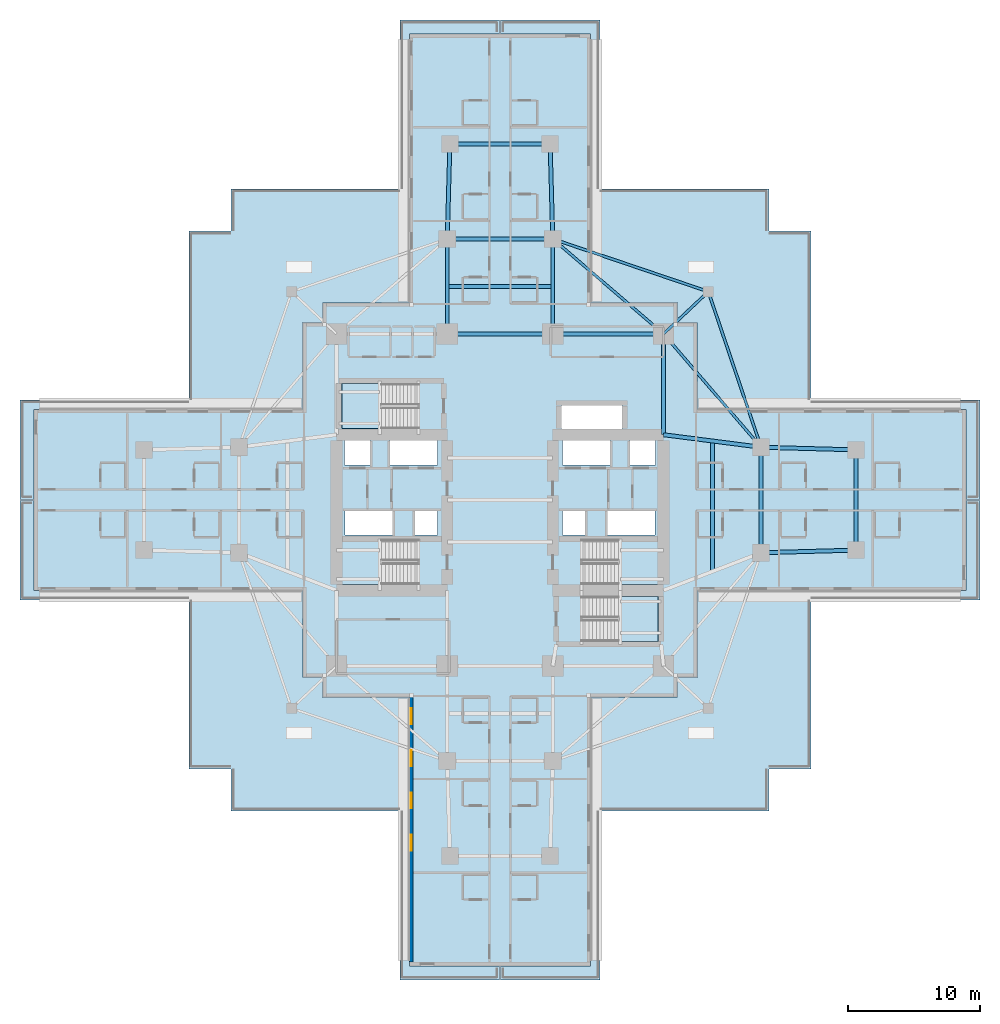
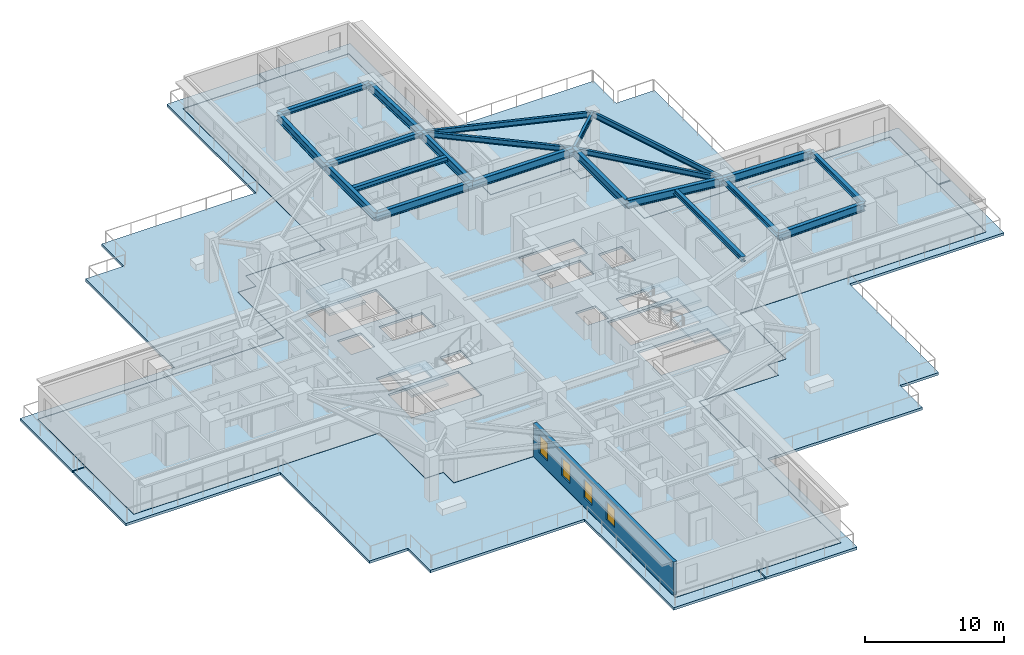
# One storey, part 2 of 15: 21 beams, 9 slabs, 4 windows, 1 wall, 4 openings, 4 elements without a shape of their own.
"""IFC4 building model written with IfcOpenShell, lengths in metres."""

from ifc_helpers import new_model, si_unit, direction, frame, frame_2d, origin, origin_2d, place, context, subcontext, project, spatial, polyline, rectangle, i_section, outline, extrude, material, layer, layer_set, material_profile, profile_set, type_object, element, fill, aggregate, save


model = new_model("IFC4")

# Units and contexts
model_context = context("Model", 3, precision=1e-05, world=origin(), true_north=direction((0.0, 1.0)))
body_context = subcontext(model_context, "Body", "Model", "MODEL_VIEW")
ifc_project = project(units=[si_unit("LENGTHUNIT", "METRE"), si_unit("AREAUNIT", "SQUARE_METRE"), si_unit("VOLUMEUNIT", "CUBIC_METRE"), si_unit("PLANEANGLEUNIT", "RADIAN"), si_unit("MASSUNIT", "GRAM", prefix="KILO")], contexts=[model_context])

# Site, building, storey
site_placement = place(None, origin())
site = spatial("IfcSite", under=ifc_project, at=site_placement, CompositionType="ELEMENT")
building_placement = place(site_placement, origin())
building = spatial("IfcBuilding", under=site, at=building_placement, Name="Qingluan Cross Belvedere", CompositionType="ELEMENT")
storey_placement = place(building_placement, frame((0.0, 0.0, 23.699951171875)))
storey = spatial("IfcBuildingStorey", under=building, at=storey_placement, Name="L06", CompositionType="ELEMENT", Elevation=23.699951171875)

# Beams
ifc_material_1 = material(Name="Steel Q420GJB", Category="steel")
ifc_material_profile_1 = material_profile(ifc_material_1, i_section(OverallWidth=0.300048828125, OverallDepth=0.43994140625, WebThickness=0.010986328125, FlangeThickness=0.01806640625, FilletRadius=0.02001953125, at=origin_2d()), Name="HM440x300x11x18")
ifc_profile_set_1 = profile_set([ifc_material_profile_1], Name="Steel Q420GJB")
beam_type_1 = type_object("IfcBeamType", Name="Steel_Beam_HM440x300x11x18", PredefinedType="BEAM", material=ifc_profile_set_1)
beam_1_placement = place(storey_placement, frame((19.800048828125, -4.0, 3.47998046875), z_axis=(0.0, 1.0, 0.0), x_axis=(-1.0, 0.0, 0.0)))
element("IfcBeam", 1, at=beam_1_placement, inside=storey, type_object=beam_type_1, Name="Arm E tie L06", PredefinedType="BEAM", context=body_context, shape_type="SweptSolid", body=[
    extrude(i_section(OverallWidth=0.300048828125, OverallDepth=0.43994140625, WebThickness=0.010986328125, FlangeThickness=0.01806640625, FilletRadius=0.02001953125, at=origin_2d()), origin(), (0.0, 0.0, 1.0), 8.0),
])
beam_2_placement = place(storey_placement, frame((16.10009765625, -5.425048828125, 3.47998046875), z_axis=(0.0, 1.0, 0.0), x_axis=(-1.0, 0.0, 0.0)))
element("IfcBeam", 2, at=beam_2_placement, inside=storey, type_object=beam_type_1, Name="Arm E beam L06", PredefinedType="BEAM", context=body_context, shape_type="SweptSolid", body=[
    extrude(i_section(OverallWidth=0.300048828125, OverallDepth=0.43994140625, WebThickness=0.010986328125, FlangeThickness=0.01806640625, FilletRadius=0.02001953125, at=origin_2d()), origin(), (0.0, 0.0, 1.0), 9.900146484375),
])
beam_3_placement = place(storey_placement, frame((27.0, -3.800048828125, 3.47998046875), z_axis=(0.0, 1.0, 0.0), x_axis=(-1.0, 0.0, 0.0)))
element("IfcBeam", 3, at=beam_3_placement, inside=storey, type_object=beam_type_1, Name="Arm E tip transverse beam L06", PredefinedType="BEAM", context=body_context, shape_type="SweptSolid", body=[
    extrude(i_section(OverallWidth=0.300048828125, OverallDepth=0.43994140625, WebThickness=0.010986328125, FlangeThickness=0.01806640625, FilletRadius=0.02001953125, at=origin_2d()), origin(), (0.0, 0.0, 1.0), 7.60009765625),
])
for number, where, z_axis, x_axis, name in (
    (4, (-4.0, 19.800048828125, 3.47998046875), (1.0, 0.0, 0.0), (0.0, 1.0, 0.0), "Arm N tie L06"),
    (5, (-4.0, 16.199951171875, 3.47998046875), (1.0, 0.0, 0.0), (0.0, 1.0, 0.0), "Arm N beam L06"),
):
    element("IfcBeam", number, at=place(storey_placement, frame(where, z_axis=z_axis, x_axis=x_axis)), inside=storey, type_object=beam_type_1, Name=name, PredefinedType="BEAM", context=body_context, shape_type="SweptSolid", body=[
        extrude(i_section(OverallWidth=0.300048828125, OverallDepth=0.43994140625, WebThickness=0.010986328125, FlangeThickness=0.01806640625, FilletRadius=0.02001953125, at=origin_2d()), origin(), (0.0, 0.0, 1.0), 8.0),
    ])
beam_4_placement = place(storey_placement, frame((-3.800048828125, 27.0, 3.47998046875), z_axis=(1.0, 0.0, 0.0), x_axis=(0.0, 1.0, 0.0)))
element("IfcBeam", 6, at=beam_4_placement, inside=storey, type_object=beam_type_1, Name="Arm N tip transverse beam L06", PredefinedType="BEAM", context=body_context, shape_type="SweptSolid", body=[
    extrude(i_section(OverallWidth=0.300048828125, OverallDepth=0.43994140625, WebThickness=0.010986328125, FlangeThickness=0.01806640625, FilletRadius=0.02001953125, at=origin_2d()), origin(), (0.0, 0.0, 1.0), 7.60009765625),
])
ifc_material_2 = material(Name="Steel Q420GJB", Category="steel")
ifc_material_profile_2 = material_profile(ifc_material_2, i_section(OverallWidth=0.199951171875, OverallDepth=0.449951171875, WebThickness=0.009033203125, FlangeThickness=0.013916015625, FilletRadius=0.01611328125, at=origin_2d()), Name="HN450x200x9x14")
ifc_profile_set_2 = profile_set([ifc_material_profile_2], Name="Steel Q420GJB")
beam_type_2 = type_object("IfcBeamType", Name="Steel_Beam_HN450x200x9x14", PredefinedType="JOIST", material=ifc_profile_set_2)
beam_5_placement = place(storey_placement, frame((12.39990234375, 12.60009765625, 3.455078125), z_axis=(0.728219948308, 0.685343495546, 0.0), x_axis=(-0.685343495546, 0.728219948308, 0.0)))
element("IfcBeam", 7, at=beam_5_placement, inside=storey, type_object=beam_type_2, Name="Corner beam 1 L06-RNE", PredefinedType="JOIST", context=body_context, shape_type="SweptSolid", body=[
    extrude(i_section(OverallWidth=0.199951171875, OverallDepth=0.449951171875, WebThickness=0.009033203125, FlangeThickness=0.013916015625, FilletRadius=0.01611328125, at=origin_2d()), origin(), (0.0, 0.0, 1.0), 4.669189453125),
])
for number, where, z_axis, x_axis, name in (
    (8, (15.800048828125, 15.800048828125, 3.455078125), (-0.947066283324, 0.321038089628, 0.0), (-0.321038089628, -0.947066283324, 0.0), "Corner beam 2 L06-RNE"),
    (9, (15.800048828125, 15.800048828125, 3.455078125), (0.321038089628, -0.947066283324, 0.0), (0.947066283324, 0.321038089628, 0.0), "Corner beam 3 L06-RNE"),
):
    element("IfcBeam", number, at=place(storey_placement, frame(where, z_axis=z_axis, x_axis=x_axis)), inside=storey, type_object=beam_type_2, Name=name, PredefinedType="JOIST", context=body_context, shape_type="SweptSolid", body=[
        extrude(i_section(OverallWidth=0.199951171875, OverallDepth=0.449951171875, WebThickness=0.009033203125, FlangeThickness=0.013916015625, FilletRadius=0.01611328125, at=origin_2d()), origin(), (0.0, 0.0, 1.0), 12.45947265625),
    ])
beam_6_placement = place(storey_placement, frame((12.39990234375, 12.60009765625, 3.455078125), z_axis=(0.652245077546, -0.75800815221, 0.0), x_axis=(0.75800815221, 0.652245077546, 0.0)))
element("IfcBeam", 10, at=beam_6_placement, inside=storey, type_object=beam_type_2, Name="Corner beam 4 L06-RNE", PredefinedType="JOIST", context=body_context, shape_type="SweptSolid", body=[
    extrude(i_section(OverallWidth=0.199951171875, OverallDepth=0.449951171875, WebThickness=0.009033203125, FlangeThickness=0.013916015625, FilletRadius=0.01611328125, at=origin_2d()), origin(), (0.0, 0.0, 1.0), 11.345703125),
])
beam_7_placement = place(storey_placement, frame((12.39990234375, 12.60009765625, 3.455078125), z_axis=(-0.759255044656, 0.650793190779, 0.0), x_axis=(-0.650793190779, -0.759255044656, 0.0)))
element("IfcBeam", 11, at=beam_7_placement, inside=storey, type_object=beam_type_2, Name="Corner beam 5 L06-RNE", PredefinedType="JOIST", context=body_context, shape_type="SweptSolid", body=[
    extrude(i_section(OverallWidth=0.199951171875, OverallDepth=0.449951171875, WebThickness=0.009033203125, FlangeThickness=0.013916015625, FilletRadius=0.01611328125, at=origin_2d()), origin(), (0.0, 0.0, 1.0), 11.063232421875),
])
ifc_material_3 = material(Name="Steel Q420GJB", Category="steel")
ifc_material_profile_3 = material_profile(ifc_material_3, i_section(OverallWidth=0.300048828125, OverallDepth=0.699951171875, WebThickness=0.014892578125, FlangeThickness=0.027099609375, FilletRadius=0.027099609375, at=origin_2d()), Name="HEB700")
ifc_profile_set_3 = profile_set([ifc_material_profile_3], Name="Steel Q420GJB")
beam_type_3 = type_object("IfcBeamType", Name="Steel_Girder_HEB700", PredefinedType="USERDEFINED", material=ifc_profile_set_3)
beam_8_placement = place(storey_placement, frame((-4.0, 12.60009765625, 3.35009765625), z_axis=(1.0, 0.0, 0.0), x_axis=(0.0, 1.0, 0.0)))
element("IfcBeam", 12, at=beam_8_placement, inside=storey, type_object=beam_type_3, Name="Hub girder L06-HG-N2", ObjectType="GIRDER", PredefinedType="USERDEFINED", context=body_context, shape_type="SweptSolid", body=[
    extrude(i_section(OverallWidth=0.300048828125, OverallDepth=0.699951171875, WebThickness=0.014892578125, FlangeThickness=0.027099609375, FilletRadius=0.027099609375, at=origin_2d()), origin(), (0.0, 0.0, 1.0), 8.0),
])
beam_9_placement = place(storey_placement, frame((4.0, 12.60009765625, 3.35009765625), z_axis=(1.0, 0.0, 0.0), x_axis=(0.0, 1.0, 0.0)))
element("IfcBeam", 13, at=beam_9_placement, inside=storey, type_object=beam_type_3, Name="Hub girder L06-HG-N3", ObjectType="GIRDER", PredefinedType="USERDEFINED", context=body_context, shape_type="SweptSolid", body=[
    extrude(i_section(OverallWidth=0.300048828125, OverallDepth=0.699951171875, WebThickness=0.014892578125, FlangeThickness=0.027099609375, FilletRadius=0.027099609375, at=origin_2d()), origin(), (0.0, 0.0, 1.0), 8.39990234375),
])
beam_10_placement = place(storey_placement, frame((12.39990234375, 4.949951171875, 3.35009765625), z_axis=(0.0, 1.0, 0.0), x_axis=(-1.0, 0.0, 0.0)))
element("IfcBeam", 14, at=beam_10_placement, inside=storey, type_object=beam_type_3, Name="Hub girder L06-HG-E2", ObjectType="GIRDER", PredefinedType="USERDEFINED", context=body_context, shape_type="SweptSolid", body=[
    extrude(i_section(OverallWidth=0.300048828125, OverallDepth=0.699951171875, WebThickness=0.014892578125, FlangeThickness=0.027099609375, FilletRadius=0.027099609375, at=origin_2d()), origin(), (0.0, 0.0, 1.0), 7.650146484375),
])
beam_11_placement = place(storey_placement, frame((12.39990234375, 4.949951171875, 3.35009765625), z_axis=(0.991861120628, -0.12732445714, 0.0), x_axis=(0.12732445714, 0.991861120628, 0.0)))
element("IfcBeam", 15, at=beam_11_placement, inside=storey, type_object=beam_type_3, Name="Arm E radial girder B L06", ObjectType="GIRDER", PredefinedType="USERDEFINED", context=body_context, shape_type="SweptSolid", body=[
    extrude(i_section(OverallWidth=0.300048828125, OverallDepth=0.699951171875, WebThickness=0.014892578125, FlangeThickness=0.027099609375, FilletRadius=0.027099609375, at=origin_2d()), origin(), (0.0, 0.0, 1.0), 7.4609375),
])
for number, where, z_axis, x_axis, name in (
    (16, (19.800048828125, -4.0, 3.35009765625), (0.999614603568, 0.027760481514, 0.0), (-0.027760481514, 0.999614603568, 0.0), "Arm E outer radial girder A L06"),
    (17, (19.800048828125, 4.0, 3.35009765625), (0.999614603568, -0.027760481514, 0.0), (0.027760481514, 0.999614603568, 0.0), "Arm E outer radial girder B L06"),
):
    element("IfcBeam", number, at=place(storey_placement, frame(where, z_axis=z_axis, x_axis=x_axis)), inside=storey, type_object=beam_type_3, Name=name, ObjectType="GIRDER", PredefinedType="USERDEFINED", context=body_context, shape_type="SweptSolid", body=[
        extrude(i_section(OverallWidth=0.300048828125, OverallDepth=0.699951171875, WebThickness=0.014892578125, FlangeThickness=0.027099609375, FilletRadius=0.027099609375, at=origin_2d()), origin(), (0.0, 0.0, 1.0), 7.20263671875),
    ])
for number, where, z_axis, x_axis, name in (
    (18, (-4.0, 12.60009765625, 3.35009765625), (0.0, 1.0, 0.0), (-1.0, 0.0, 0.0), "Arm N radial girder A L06"),
    (19, (4.0, 12.60009765625, 3.35009765625), (0.0, 1.0, 0.0), (-1.0, 0.0, 0.0), "Arm N radial girder B L06"),
):
    element("IfcBeam", number, at=place(storey_placement, frame(where, z_axis=z_axis, x_axis=x_axis)), inside=storey, type_object=beam_type_3, Name=name, ObjectType="GIRDER", PredefinedType="USERDEFINED", context=body_context, shape_type="SweptSolid", body=[
        extrude(i_section(OverallWidth=0.300048828125, OverallDepth=0.699951171875, WebThickness=0.014892578125, FlangeThickness=0.027099609375, FilletRadius=0.027099609375, at=origin_2d()), origin(), (0.0, 0.0, 1.0), 7.199951171875),
    ])
for number, where, z_axis, x_axis, name in (
    (20, (-4.0, 19.800048828125, 3.35009765625), (0.027760481514, 0.999614603568, 0.0), (-0.999614603568, 0.027760481514, 0.0), "Arm N outer radial girder A L06"),
    (21, (4.0, 19.800048828125, 3.35009765625), (-0.027760481514, 0.999614603568, 0.0), (-0.999614603568, -0.027760481514, 0.0), "Arm N outer radial girder B L06"),
):
    element("IfcBeam", number, at=place(storey_placement, frame(where, z_axis=z_axis, x_axis=x_axis)), inside=storey, type_object=beam_type_3, Name=name, ObjectType="GIRDER", PredefinedType="USERDEFINED", context=body_context, shape_type="SweptSolid", body=[
        extrude(i_section(OverallWidth=0.300048828125, OverallDepth=0.699951171875, WebThickness=0.014892578125, FlangeThickness=0.027099609375, FilletRadius=0.027099609375, at=origin_2d()), origin(), (0.0, 0.0, 1.0), 7.20263671875),
    ])

# Slab
ifc_material_4 = material(Name="Concrete C40", Category="concrete")
ifc_layer_1 = layer(ifc_material_4, 0.199951171875, Name="FloorSlab_200")
ifc_layer_set_1 = layer_set([ifc_layer_1], Name="Concrete C40")
slab_type_1 = type_object("IfcSlabType", Name="FloorSlab_200", PredefinedType="FLOOR", material=ifc_layer_set_1)
slab_1_placement = place(storey_placement, frame((0.0, 0.0, -0.199951171875)))
element("IfcSlab", 22, at=slab_1_placement, inside=storey, type_object=slab_type_1, Name="Structural floor slab L06", PredefinedType="FLOOR", context=body_context, shape_type="SweptSolid", body=[
    extrude(outline(polyline([(6.860107421875, -35.320068359375), (6.860107421875, -14.93994140625), (13.43994140625, -14.93994140625), (13.43994140625, -13.43994140625), (14.93994140625, -13.43994140625), (14.93994140625, -6.860107421875), (35.320068359375, -6.860107421875), (35.320068359375, 6.860107421875), (14.93994140625, 6.860107421875), (14.93994140625, 13.43994140625), (13.43994140625, 13.43994140625), (13.43994140625, 14.93994140625), (6.860107421875, 14.93994140625), (6.860107421875, 35.320068359375), (-6.860107421875, 35.320068359375), (-6.860107421875, 14.93994140625), (-13.43994140625, 14.93994140625), (-13.43994140625, 13.43994140625), (-14.93994140625, 13.43994140625), (-14.93994140625, 6.860107421875), (-35.320068359375, 6.860107421875), (-35.320068359375, -6.860107421875), (-14.93994140625, -6.860107421875), (-14.93994140625, -13.43994140625), (-13.43994140625, -13.43994140625), (-13.43994140625, -14.93994140625), (-6.860107421875, -14.93994140625), (-6.860107421875, -35.320068359375), (6.860107421875, -35.320068359375)]), holes=[polyline([(-12.0, -3.0), (-6.179931640625, -3.0), (-6.179931640625, -6.39990234375), (-12.0, -6.39990234375), (-12.0, -3.0)]), polyline([(6.179931640625, -3.0), (12.0, -3.0), (12.0, -6.39990234375), (6.179931640625, -6.39990234375), (6.179931640625, -3.0)]), polyline([(-12.0, 8.820068359375), (-6.179931640625, 8.820068359375), (-6.179931640625, 5.419921875), (-12.0, 5.419921875), (-12.0, 8.820068359375)]), polyline([(6.179931640625, -7.320068359375), (12.0, -7.320068359375), (12.0, -10.719970703125), (6.179931640625, -10.719970703125), (6.179931640625, -7.320068359375)]), polyline([(-11.800048828125, 4.64990234375), (-9.85009765625, 4.64990234375), (-9.85009765625, 2.64990234375), (-11.800048828125, 2.64990234375), (-11.800048828125, 4.64990234375)]), polyline([(-8.35009765625, 4.64990234375), (-4.75, 4.64990234375), (-4.75, 2.64990234375), (-8.35009765625, 2.64990234375), (-8.35009765625, 4.64990234375)]), polyline([(4.75, 4.64990234375), (8.35009765625, 4.64990234375), (8.35009765625, 2.64990234375), (4.75, 2.64990234375), (4.75, 4.64990234375)]), polyline([(9.85009765625, 4.64990234375), (11.800048828125, 4.64990234375), (11.800048828125, 2.64990234375), (9.85009765625, 2.64990234375), (9.85009765625, 4.64990234375)]), polyline([(-11.75, -0.840087890625), (-8.14990234375, -0.840087890625), (-8.14990234375, -2.659912109375), (-11.75, -2.659912109375), (-11.75, -0.840087890625)]), polyline([(-6.449951171875, -0.840087890625), (-4.75, -0.840087890625), (-4.75, -2.659912109375), (-6.449951171875, -2.659912109375), (-6.449951171875, -0.840087890625)]), polyline([(4.75, -0.840087890625), (6.449951171875, -0.840087890625), (6.449951171875, -2.659912109375), (4.75, -2.659912109375), (4.75, -0.840087890625)]), polyline([(8.14990234375, -0.840087890625), (11.75, -0.840087890625), (11.75, -2.659912109375), (8.14990234375, -2.659912109375), (8.14990234375, -0.840087890625)]), polyline([(4.64990234375, 7.14990234375), (9.25, 7.14990234375), (9.25, 5.14990234375), (4.64990234375, 5.14990234375), (4.64990234375, 7.14990234375)])]), origin(), (0.0, 0.0, 1.0), 0.199951171875),
])

# Stair, slab
ifc_material_5 = material(Name="Concrete C40", Category="concrete")
stair_type = type_object("IfcStairType", Name="CoreDoglegStair_1620", PredefinedType="HALF_TURN_STAIR", material=ifc_material_5)
stair_1_placement = place(storey_placement, origin())
stair_1 = element("IfcStair", 23, at=stair_1_placement, inside=storey, type_object=stair_type, Name="L06 ST1", PredefinedType="HALF_TURN_STAIR")
ifc_material_6 = material(Name="Concrete C40", Category="concrete")
ifc_layer_2 = layer(ifc_material_6, 0.179931640625, Name="StairLandingSlab_180")
ifc_layer_set_2 = layer_set([ifc_layer_2], Name="Concrete C40")
slab_type_2 = type_object("IfcSlabType", Name="StairLandingSlab_180", PredefinedType="LANDING", material=ifc_layer_set_2)
slab_2_placement = place(storey_placement, frame((0.0, 0.0, 1.75)))
slab_2 = element("IfcSlab", 24, at=slab_2_placement, type_object=slab_type_2, Name="ST1 landing 1", PredefinedType="LANDING", context=body_context, shape_type="SweptSolid", body=[
    extrude(outline(polyline([(-8.97998046875, -3.0), (-12.0, -3.0), (-12.0, -6.39990234375), (-8.97998046875, -6.39990234375), (-8.97998046875, -3.0)])), origin(), (0.0, 0.0, 1.0), 0.199951171875),
])
aggregate(stair_1, [slab_2])

stair_2_placement = place(storey_placement, origin())
stair_2 = element("IfcStair", 25, at=stair_2_placement, inside=storey, type_object=stair_type, Name="L06 ST2", PredefinedType="HALF_TURN_STAIR")
slab_3_placement = place(storey_placement, frame((0.0, 0.0, 1.75)))
slab_3 = element("IfcSlab", 26, at=slab_3_placement, type_object=slab_type_2, Name="ST2 landing 1", PredefinedType="LANDING", context=body_context, shape_type="SweptSolid", body=[
    extrude(outline(polyline([(8.97998046875, -6.39990234375), (12.0, -6.39990234375), (12.0, -3.0), (8.97998046875, -3.0), (8.97998046875, -6.39990234375)])), origin(), (0.0, 0.0, 1.0), 0.199951171875),
])
aggregate(stair_2, [slab_3])

stair_3_placement = place(storey_placement, origin())
stair_3 = element("IfcStair", 27, at=stair_3_placement, inside=storey, type_object=stair_type, Name="L06 ST3", PredefinedType="HALF_TURN_STAIR")
slab_4_placement = place(storey_placement, frame((0.0, 0.0, 1.75)))
slab_4 = element("IfcSlab", 28, at=slab_4_placement, type_object=slab_type_2, Name="ST3 landing 1", PredefinedType="LANDING", context=body_context, shape_type="SweptSolid", body=[
    extrude(outline(polyline([(-8.97998046875, 8.820068359375), (-12.0, 8.820068359375), (-12.0, 5.419921875), (-8.97998046875, 5.419921875), (-8.97998046875, 8.820068359375)])), origin(), (0.0, 0.0, 1.0), 0.199951171875),
])
aggregate(stair_3, [slab_4])

stair_4_placement = place(storey_placement, origin())
stair_4 = element("IfcStair", 29, at=stair_4_placement, inside=storey, type_object=stair_type, Name="L06 ST4", PredefinedType="HALF_TURN_STAIR")
slab_5_placement = place(storey_placement, frame((0.0, 0.0, 1.75)))
slab_5 = element("IfcSlab", 30, at=slab_5_placement, type_object=slab_type_2, Name="ST4 landing 1", PredefinedType="LANDING", context=body_context, shape_type="SweptSolid", body=[
    extrude(outline(polyline([(8.97998046875, -10.719970703125), (12.0, -10.719970703125), (12.0, -7.320068359375), (8.97998046875, -7.320068359375), (8.97998046875, -10.719970703125)])), origin(), (0.0, 0.0, 1.0), 0.199951171875),
])
aggregate(stair_4, [slab_5])

# Slabs
ifc_material_7 = material(Name="Concrete C40", Category="concrete")
ifc_layer_3 = layer(ifc_material_7, 0.219970703125, Name="TerraceSlab_220")
ifc_layer_set_3 = layer_set([ifc_layer_3], Name="Concrete C40")
slab_type_3 = type_object("IfcSlabType", Name="TerraceSlab_220", PredefinedType="FLOOR", material=ifc_layer_set_3)
slab_6_placement = place(storey_placement, frame((0.0, 0.0, -0.219970703125)))
element("IfcSlab", 31, at=slab_6_placement, inside=storey, type_object=slab_type_3, Name="Cascading garden terrace deck L06-1", PredefinedType="FLOOR", context=body_context, shape_type="SweptSolid", body=[
    extrude(outline(polyline([(0.050048828125, 36.39990234375), (0.050048828125, 35.340087890625), (6.860107421875, 35.340087890625), (6.879150390625, 35.32568359375), (6.8798828125, 14.9599609375), (13.44384765625, 14.959716796875), (13.4599609375, 14.93994140625), (13.4599609375, 13.4599609375), (14.9541015625, 13.4541015625), (14.9599609375, 6.8798828125), (35.329345703125, 6.877685546875), (35.340087890625, 6.860107421875), (35.340087890625, 0.050048828125), (36.39990234375, 0.050048828125), (36.39990234375, 7.60009765625), (23.60009765625, 7.60009765625), (23.60009765625, 20.39990234375), (20.39990234375, 20.39990234375), (20.39990234375, 23.60009765625), (7.60009765625, 23.60009765625), (7.60009765625, 36.39990234375), (0.050048828125, 36.39990234375)])), origin(), (0.0, 0.0, 1.0), 0.219970703125),
])
slab_7_placement = place(storey_placement, frame((0.0, 0.0, -0.219970703125)))
element("IfcSlab", 32, at=slab_7_placement, inside=storey, type_object=slab_type_3, Name="Cascading garden terrace deck L06-2", PredefinedType="FLOOR", context=body_context, shape_type="SweptSolid", body=[
    extrude(outline(polyline([(-36.39990234375, 0.050048828125), (-35.340087890625, 0.050048828125), (-35.340087890625, 6.860107421875), (-35.32568359375, 6.879150390625), (-14.9599609375, 6.8798828125), (-14.959716796875, 13.44384765625), (-14.93994140625, 13.4599609375), (-13.4599609375, 13.4599609375), (-13.4541015625, 14.9541015625), (-6.8798828125, 14.9599609375), (-6.877685546875, 35.329345703125), (-6.860107421875, 35.340087890625), (-0.050048828125, 35.340087890625), (-0.050048828125, 36.39990234375), (-7.60009765625, 36.39990234375), (-7.60009765625, 23.60009765625), (-20.39990234375, 23.60009765625), (-20.39990234375, 20.39990234375), (-23.60009765625, 20.39990234375), (-23.60009765625, 7.60009765625), (-36.39990234375, 7.60009765625), (-36.39990234375, 0.050048828125)])), origin(), (0.0, 0.0, 1.0), 0.219970703125),
])
slab_8_placement = place(storey_placement, frame((0.0, 0.0, -0.219970703125)))
element("IfcSlab", 33, at=slab_8_placement, inside=storey, type_object=slab_type_3, Name="Cascading garden terrace deck L06-3", PredefinedType="FLOOR", context=body_context, shape_type="SweptSolid", body=[
    extrude(outline(polyline([(-0.050048828125, -36.39990234375), (-0.050048828125, -35.340087890625), (-6.860107421875, -35.340087890625), (-6.879150390625, -35.32568359375), (-6.8798828125, -14.9599609375), (-13.44384765625, -14.959716796875), (-13.4599609375, -14.93994140625), (-13.4599609375, -13.4599609375), (-14.9541015625, -13.4541015625), (-14.9599609375, -6.8798828125), (-35.329345703125, -6.877685546875), (-35.340087890625, -6.860107421875), (-35.340087890625, -0.050048828125), (-36.39990234375, -0.050048828125), (-36.39990234375, -7.60009765625), (-23.60009765625, -7.60009765625), (-23.60009765625, -20.39990234375), (-20.39990234375, -20.39990234375), (-20.39990234375, -23.60009765625), (-7.60009765625, -23.60009765625), (-7.60009765625, -36.39990234375), (-0.050048828125, -36.39990234375)])), origin(), (0.0, 0.0, 1.0), 0.219970703125),
])
slab_9_placement = place(storey_placement, frame((0.0, 0.0, -0.219970703125)))
element("IfcSlab", 34, at=slab_9_placement, inside=storey, type_object=slab_type_3, Name="Cascading garden terrace deck L06-4", PredefinedType="FLOOR", context=body_context, shape_type="SweptSolid", body=[
    extrude(outline(polyline([(7.60009765625, -36.39990234375), (7.60009765625, -23.60009765625), (20.39990234375, -23.60009765625), (20.39990234375, -20.39990234375), (23.60009765625, -20.39990234375), (23.60009765625, -7.60009765625), (36.39990234375, -7.60009765625), (36.39990234375, -0.050048828125), (35.340087890625, -0.050048828125), (35.340087890625, -6.860107421875), (35.32568359375, -6.879150390625), (14.9599609375, -6.8798828125), (14.959716796875, -13.44384765625), (14.93994140625, -13.4599609375), (13.4599609375, -13.4599609375), (13.4541015625, -14.9541015625), (6.8798828125, -14.9599609375), (6.877685546875, -35.329345703125), (6.860107421875, -35.340087890625), (0.050048828125, -35.340087890625), (0.050048828125, -36.39990234375), (7.60009765625, -36.39990234375)])), origin(), (0.0, 0.0, 1.0), 0.219970703125),
])

# Wall, openings, windows
ifc_material_8 = material(Name="Precast concrete C45", Category="concrete")
ifc_layer_4 = layer(ifc_material_8, 0.280029296875, Name="PrecastFacadeWall_280")
ifc_layer_set_4 = layer_set([ifc_layer_4], Name="Precast concrete C45")
wall_type = type_object("IfcWallType", Name="PrecastFacadeWall_280", PredefinedType="STANDARD", material=ifc_layer_set_4)
wall_placement = place(storey_placement, frame((-6.719970703125, -14.93994140625, 0.0), z_axis=(0.0, 0.0, 1.0), x_axis=(0.0, -1.0, 0.0)))
wall = element("IfcWall", 35, at=wall_placement, inside=storey, type_object=wall_type, Name="Facade wall L06-SA", PredefinedType="STANDARD", context=body_context, shape_type="SweptSolid", body=[
    extrude(rectangle(XDim=20.10009765625, YDim=0.280029296875, at=frame_2d((10.050048828125, 0.0))), origin(), (0.0, 0.0, 1.0), 2.91015625),
])
opening_1_placement = place(wall_placement, frame((0.85009765625, 0.0, 0.800048828125)))
opening_1 = element("IfcOpeningElement", 36, at=opening_1_placement, cuts=wall, Name="Opening W-02", PredefinedType="OPENING", context=body_context, shape_type="SweptSolid", body=[
    extrude(rectangle(XDim=1.199951171875, YDim=1.60009765625, at=frame_2d((0.60009765625, 0.800048828125))), frame((0.0, 0.14990234375, 0.0), z_axis=(0.0, -1.0, 0.0), x_axis=(1.0, 0.0, 0.0)), (0.0, 0.0, 1.0), 0.300048828125),
])
opening_2_placement = place(wall_placement, frame((4.050048828125, 0.0, 0.800048828125)))
opening_2 = element("IfcOpeningElement", 37, at=opening_2_placement, cuts=wall, Name="Opening W-02", PredefinedType="OPENING", context=body_context, shape_type="SweptSolid", body=[
    extrude(rectangle(XDim=1.199951171875, YDim=1.60009765625, at=frame_2d((0.60009765625, 0.800048828125))), frame((0.0, 0.14990234375, 0.0), z_axis=(0.0, -1.0, 0.0), x_axis=(1.0, 0.0, 0.0)), (0.0, 0.0, 1.0), 0.300048828125),
])
opening_3_placement = place(wall_placement, frame((7.25, 0.0, 0.800048828125)))
opening_3 = element("IfcOpeningElement", 38, at=opening_3_placement, cuts=wall, Name="Opening W-02", PredefinedType="OPENING", context=body_context, shape_type="SweptSolid", body=[
    extrude(rectangle(XDim=1.199951171875, YDim=1.60009765625, at=frame_2d((0.60009765625, 0.800048828125))), frame((0.0, 0.14990234375, 0.0), z_axis=(0.0, -1.0, 0.0), x_axis=(1.0, 0.0, 0.0)), (0.0, 0.0, 1.0), 0.300048828125),
])
opening_4_placement = place(wall_placement, frame((10.449951171875, 0.0, 0.800048828125)))
opening_4 = element("IfcOpeningElement", 39, at=opening_4_placement, cuts=wall, Name="Opening W-02", PredefinedType="OPENING", context=body_context, shape_type="SweptSolid", body=[
    extrude(rectangle(XDim=1.199951171875, YDim=1.60009765625, at=frame_2d((0.60009765625, 0.800048828125))), frame((0.0, 0.14990234375, 0.0), z_axis=(0.0, -1.0, 0.0), x_axis=(1.0, 0.0, 0.0)), (0.0, 0.0, 1.0), 0.300048828125),
])
ifc_material_9 = material(Name="Thermally broken triple Low-E glass in aluminium frame", Category="aluminium")
window_type = type_object("IfcWindowType", Name="TriRibbonWin_1200x1600", PartitioningType="SINGLE_PANEL", PredefinedType="WINDOW", material=ifc_material_9)
window_1_placement = place(opening_1_placement, origin())
window_1 = element("IfcWindow", 40, at=window_1_placement, inside=storey, type_object=window_type, Name="Ribbon window L06-SA-1", OverallHeight=1.60009765625, OverallWidth=1.199951171875, PartitioningType="SINGLE_PANEL", PredefinedType="WINDOW", context=body_context, shape_type="SweptSolid", body=[
    extrude(rectangle(XDim=1.199951171875, YDim=1.60009765625, at=frame_2d((0.60009765625, 0.800048828125))), frame((0.0, 0.030029296875, 0.0), z_axis=(0.0, -1.0, 0.0), x_axis=(1.0, 0.0, 0.0)), (0.0, 0.0, 1.0), 0.06005859375),
])
fill(opening_1, window_1)
window_2_placement = place(opening_2_placement, origin())
window_2 = element("IfcWindow", 41, at=window_2_placement, inside=storey, type_object=window_type, Name="Ribbon window L06-SA-2", OverallHeight=1.60009765625, OverallWidth=1.199951171875, PartitioningType="SINGLE_PANEL", PredefinedType="WINDOW", context=body_context, shape_type="SweptSolid", body=[
    extrude(rectangle(XDim=1.199951171875, YDim=1.60009765625, at=frame_2d((0.60009765625, 0.800048828125))), frame((0.0, 0.030029296875, 0.0), z_axis=(0.0, -1.0, 0.0), x_axis=(1.0, 0.0, 0.0)), (0.0, 0.0, 1.0), 0.06005859375),
])
fill(opening_2, window_2)
window_3_placement = place(opening_3_placement, origin())
window_3 = element("IfcWindow", 42, at=window_3_placement, inside=storey, type_object=window_type, Name="Ribbon window L06-SA-3", OverallHeight=1.60009765625, OverallWidth=1.199951171875, PartitioningType="SINGLE_PANEL", PredefinedType="WINDOW", context=body_context, shape_type="SweptSolid", body=[
    extrude(rectangle(XDim=1.199951171875, YDim=1.60009765625, at=frame_2d((0.60009765625, 0.800048828125))), frame((0.0, 0.030029296875, 0.0), z_axis=(0.0, -1.0, 0.0), x_axis=(1.0, 0.0, 0.0)), (0.0, 0.0, 1.0), 0.06005859375),
])
fill(opening_3, window_3)
window_4_placement = place(opening_4_placement, origin())
window_4 = element("IfcWindow", 43, at=window_4_placement, inside=storey, type_object=window_type, Name="Ribbon window L06-SA-4", OverallHeight=1.60009765625, OverallWidth=1.199951171875, PartitioningType="SINGLE_PANEL", PredefinedType="WINDOW", context=body_context, shape_type="SweptSolid", body=[
    extrude(rectangle(XDim=1.199951171875, YDim=1.60009765625, at=frame_2d((0.60009765625, 0.800048828125))), frame((0.0, 0.030029296875, 0.0), z_axis=(0.0, -1.0, 0.0), x_axis=(1.0, 0.0, 0.0)), (0.0, 0.0, 1.0), 0.06005859375),
])
fill(opening_4, window_4)

save(model, "model.ifc")
